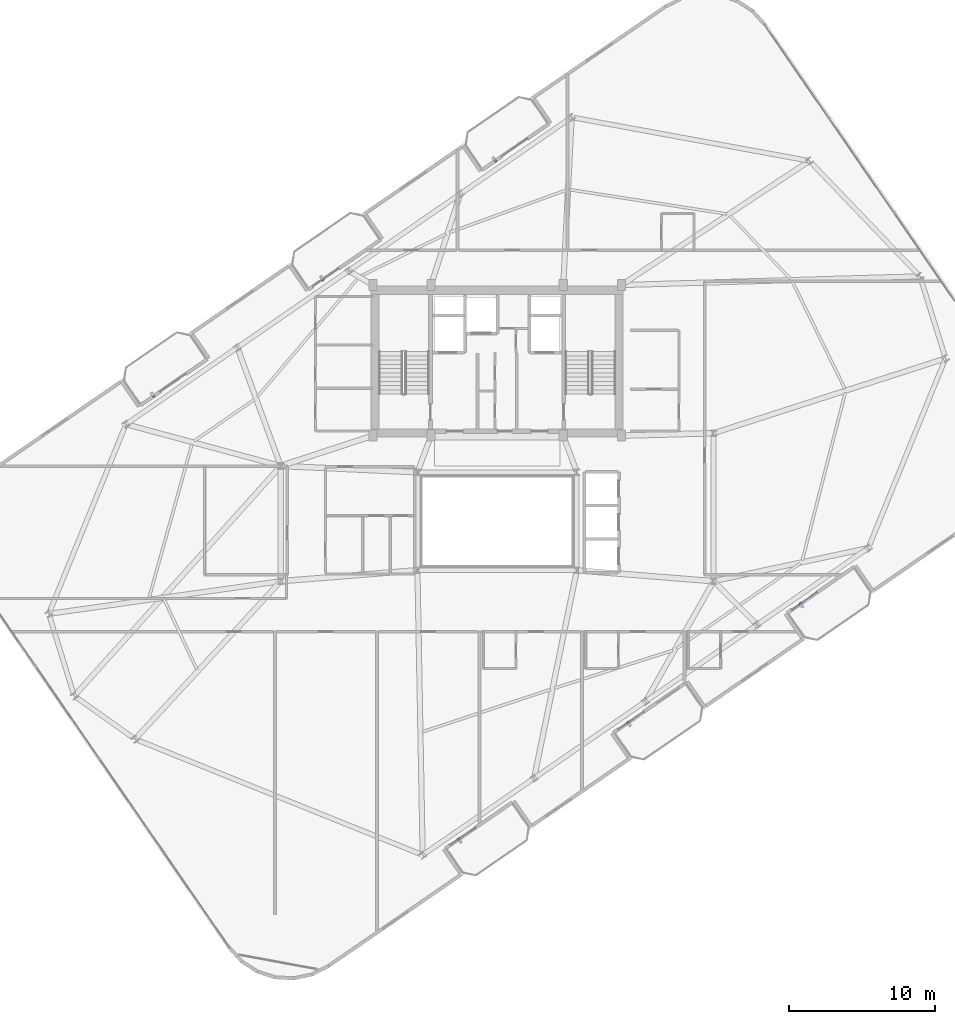
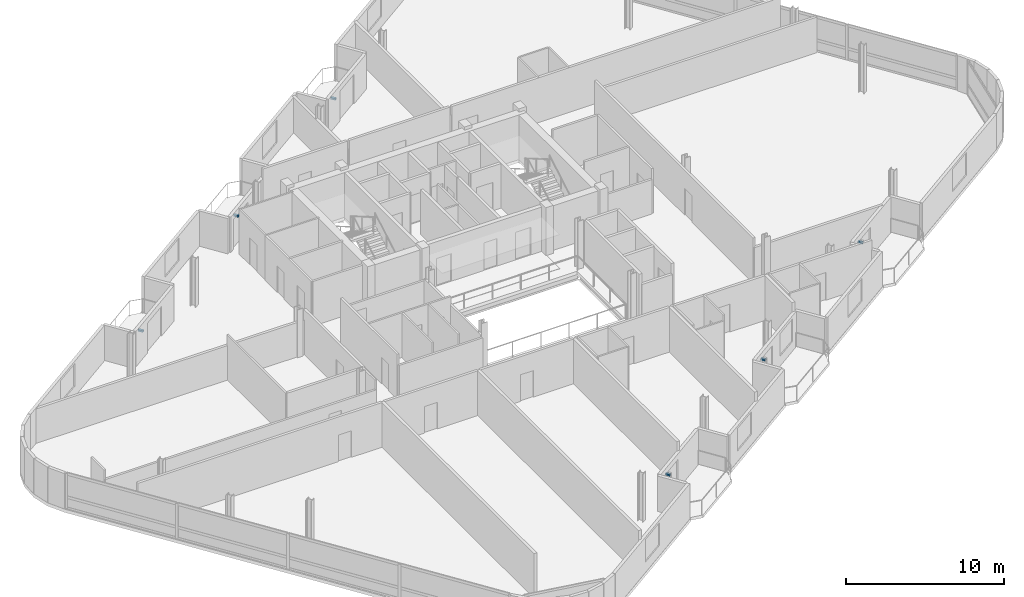
# One storey, part 20 of 23: 6 discrete accessories.
"""IFC4 building model written with IfcOpenShell, lengths in metres."""

from ifc_helpers import new_model, si_unit, direction, frame, origin, origin_2d, place, context, subcontext, project, spatial, rectangle, extrude, source, transform, mapped, material, type_object, element, save


model = new_model("IFC4")

# Units and contexts
model_context = context("Model", 3, precision=1e-05, world=origin(), true_north=direction((0.0, 1.0)))
body_context = subcontext(model_context, "Body", "Model", "MODEL_VIEW")
ifc_project = project(units=[si_unit("LENGTHUNIT", "METRE"), si_unit("AREAUNIT", "SQUARE_METRE"), si_unit("VOLUMEUNIT", "CUBIC_METRE"), si_unit("PLANEANGLEUNIT", "RADIAN"), si_unit("MASSUNIT", "GRAM", prefix="KILO")], contexts=[model_context])

# Site, building, storey
site_placement = place(None, origin())
site = spatial("IfcSite", under=ifc_project, at=site_placement, CompositionType="ELEMENT")
building_placement = place(site_placement, origin())
building = spatial("IfcBuilding", under=site, at=building_placement, Name="Varnelok Gate Tower", CompositionType="ELEMENT")
storey_placement = place(building_placement, frame((0.0, 0.0, 258.199951171875)))
storey = spatial("IfcBuildingStorey", under=building, at=storey_placement, Name="L66", CompositionType="ELEMENT", Elevation=258.199951171875)

# Discrete accessories
ifc_material = material(Name="Structural Steel ASTM A500 Grade C", Category="steel")
discrete_accessory_type = type_object("IfcDiscreteAccessoryType", Name="ACC-BAGUETTE-BRK", PredefinedType="BRACKET", material=ifc_material)
shared_shape = source(origin(), body_context, "Body", "SweptSolid", [
    extrude(rectangle(XDim=0.159912109375, YDim=0.340087890625, at=origin_2d()), origin(), (0.0, 0.0, 1.0), 0.139892578125),
])
for number, where, z_axis, x_axis, name in (
    (1, (36.62158203125, 1.09619140625, 1.97998046875), (0.0, 0.0, 1.0), (0.823532597628, 0.567268949127, 0.0), "L66 Terracotta Baguette Bracket 1.1"),
    (2, (48.195068359375, 9.068359375, 1.97998046875), (0.0, 0.0, 1.0), (0.823532597628, 0.567268949127, 0.0), "L66 Terracotta Baguette Bracket 2.1"),
    (3, (59.982666015625, 17.187744140625, 1.97998046875), (0.0, 0.0, 1.0), (0.823532597628, 0.567268949127, 0.0), "L66 Terracotta Baguette Bracket 3.1"),
    (4, (15.66650390625, 31.517333984375, 1.97998046875), (0.0, 0.0, 1.0), (0.823532597628, 0.567268949127, 0.0), "L66 Terracotta Baguette Bracket 4.1"),
    (5, (27.240234375, 39.489501953125, 1.97998046875), (0.0, 0.0, 1.0), (0.823532597628, 0.567268949127, 0.0), "L66 Terracotta Baguette Bracket 5.1"),
    (6, (39.027587890625, 47.609130859375, 1.97998046875), (0.0, 0.0, 1.0), (0.823532597628, 0.567268949127, 0.0), "L66 Terracotta Baguette Bracket 6.1"),
):
    element("IfcDiscreteAccessory", number, at=place(storey_placement, frame(where, z_axis=z_axis, x_axis=x_axis)), inside=storey, type_object=discrete_accessory_type, Name=name, PredefinedType="BRACKET", context=body_context, shape_type="MappedRepresentation", body=[
        mapped(shared_shape, transform((0.0, 0.0, 0.0), scale=1.0)),
    ])

save(model, "model.ifc")
